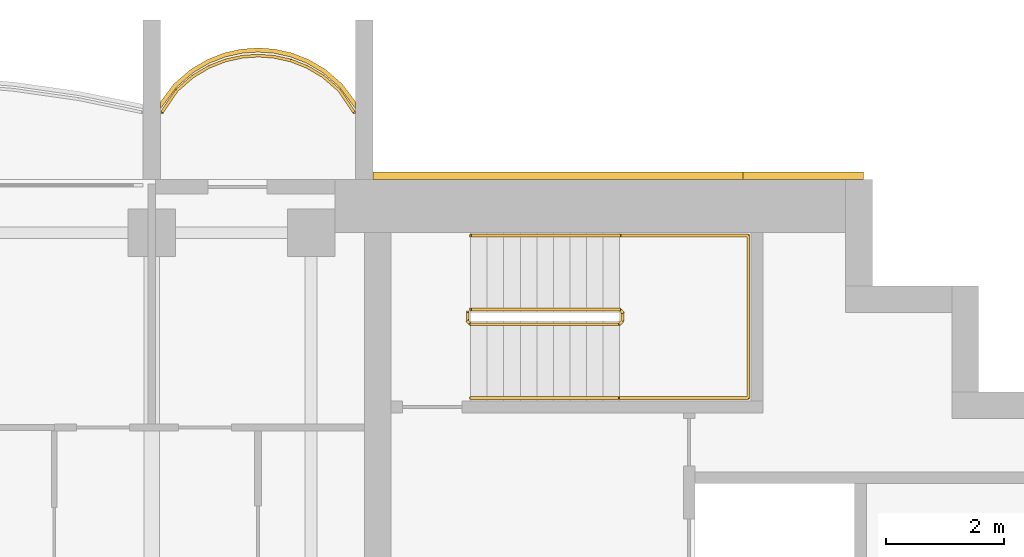
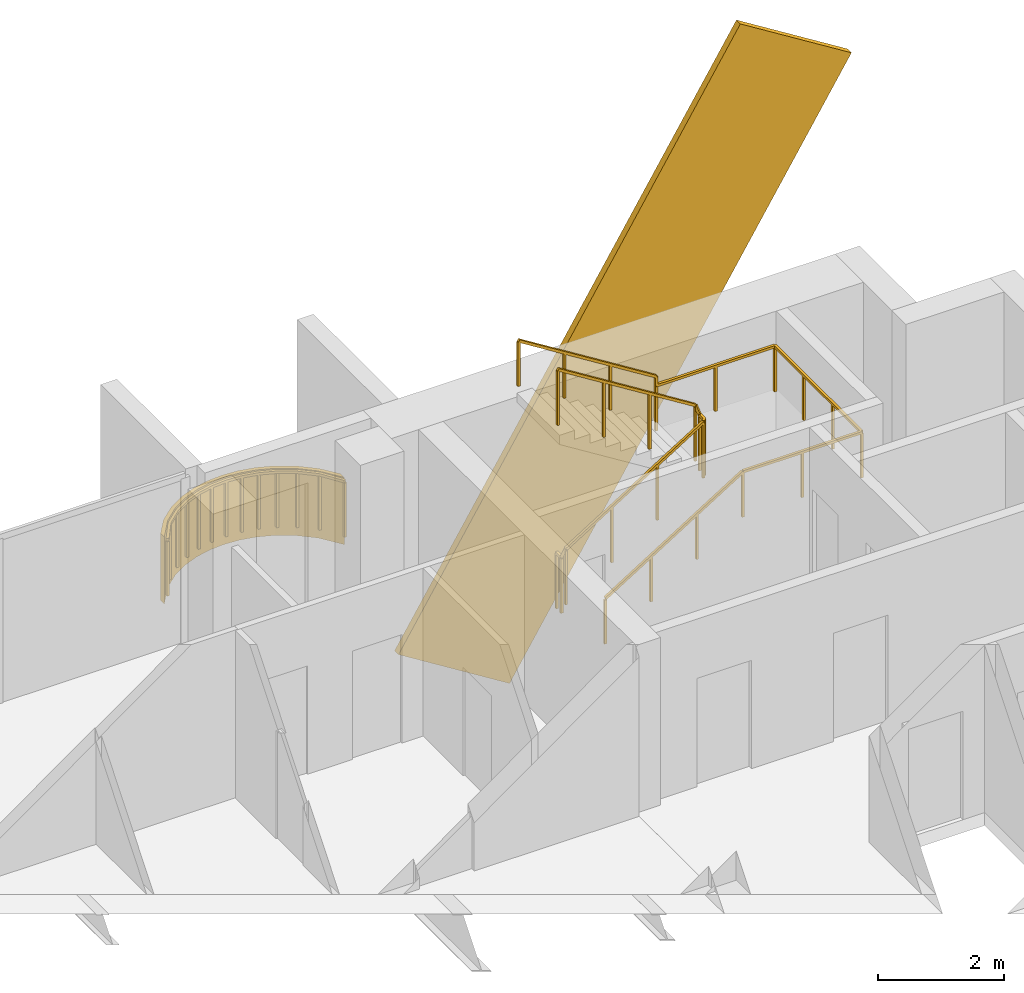
# One storey, part 16 of 16: 3 railings, 2 coverings.
"""IFC4 building model written with IfcOpenShell, lengths in metres."""

import ifcopenshell
import ifcopenshell.guid

model = None  # the IFC model being written
_history = None  # IfcOwnerHistory: only IFC2X3 demands one
_inside = {}  # id of a spatial element -> (the spatial element, [elements in it])
_under = {}  # id of a project, library or spatial element -> (it, [spatial elements below it])
_declared = {}  # id of a project -> (the project, [libraries it declares])
_typed = {}  # id of a type object -> (the type object, [elements of that type])
_made_of = {}  # id of a material, layer set ... -> (it, [elements and type objects made of it])


def new_model(schema):
    """Start an empty IFC model of exactly this schema.

    Asked for "IFC4X3", IfcOpenShell would pick the latest addendum, in which some entities
    have other attributes; the version numbers below select the first issue.
    IFC2X3 requires an IfcOwnerHistory on every rooted entity: one is made here for all.
    """
    global model, _history
    if schema == "IFC4X3":
        model = ifcopenshell.file(schema_version=(4, 3, 0, 0))
    else:
        model = ifcopenshell.file(schema=schema)
    _inside.clear()
    _under.clear()
    _declared.clear()
    _typed.clear()
    _made_of.clear()
    _history = None
    if model.schema == "IFC2X3":
        org = make("IfcOrganization", Name="unknown")
        user = make(
            "IfcPersonAndOrganization",
            ThePerson=make("IfcPerson", FamilyName="unknown"),
            TheOrganization=org,
        )
        app = make(
            "IfcApplication",
            ApplicationDeveloper=org,
            Version="unknown",
            ApplicationFullName="unknown",
            ApplicationIdentifier="unknown",
        )
        _history = make(
            "IfcOwnerHistory",
            OwningUser=user,
            OwningApplication=app,
            ChangeAction="ADDED",
            CreationDate=0,
        )
    return model


def make(cls, **values):
    """One entity of the class cls with the attributes given. An attribute that is None is left unset."""
    return model.create_entity(
        cls, **{name: value for name, value in values.items() if value is not None}
    )


def rooted(cls, **values):
    """An entity with a GlobalId (a new one), such as an element, a storey or a relation."""
    return make(cls, GlobalId=ifcopenshell.guid.new(), OwnerHistory=_history, **values)


def si_unit(unit_type, name, prefix=None):
    """IfcSIUnit, for example si_unit("LENGTHUNIT", "METRE", prefix="MILLI")."""
    return make("IfcSIUnit", UnitType=unit_type, Prefix=prefix, Name=name)


def assignment(units):
    """IfcUnitAssignment: the units of a project."""
    return None if units is None else make("IfcUnitAssignment", Units=units)


def point(xyz):
    """IfcCartesianPoint."""
    return None if xyz is None else make("IfcCartesianPoint", Coordinates=xyz)


def direction(xyz):
    """IfcDirection."""
    return None if xyz is None else make("IfcDirection", DirectionRatios=xyz)


def frame(location, z_axis=None, x_axis=None):
    """IfcAxis2Placement3D, a coordinate frame: its origin and axes. An axis left out is left unset."""
    return make(
        "IfcAxis2Placement3D",
        Location=point(location),
        Axis=direction(z_axis),
        RefDirection=direction(x_axis),
    )


def frame_2d(location, x_axis=None):
    """IfcAxis2Placement2D, a coordinate frame in the plane: its origin and x axis."""
    return make(
        "IfcAxis2Placement2D", Location=point(location), RefDirection=direction(x_axis)
    )


def origin():
    """The frame at (0, 0, 0) with its axes left unset."""
    return frame((0.0, 0.0, 0.0))


def origin_2d():
    """The frame at (0, 0) in the plane with its x axis left unset."""
    return frame_2d((0.0, 0.0))


def place(relative_to, where):
    """IfcLocalPlacement: puts the frame where relative to a parent placement (None: the world)."""
    return make(
        "IfcLocalPlacement", PlacementRelTo=relative_to, RelativePlacement=where
    )


def context(
    kind, dimensions, precision=None, world=None, true_north=None, identifier=None
):
    """IfcGeometricRepresentationContext, for example the 3D "Model" context."""
    return make(
        "IfcGeometricRepresentationContext",
        ContextIdentifier=identifier,
        ContextType=kind,
        CoordinateSpaceDimension=dimensions,
        Precision=precision,
        WorldCoordinateSystem=world,
        TrueNorth=true_north,
    )


def subcontext(parent, identifier, kind, view, scale=None):
    """IfcGeometricRepresentationSubContext, for example "Body" below "Model"."""
    return make(
        "IfcGeometricRepresentationSubContext",
        ContextIdentifier=identifier,
        ContextType=kind,
        ParentContext=parent,
        TargetScale=scale,
        TargetView=view,
    )


def project(units=None, contexts=None):
    """IfcProject with its units and contexts."""
    return rooted(
        "IfcProject",
        Name="project",
        RepresentationContexts=contexts,
        UnitsInContext=assignment(units),
    )


def spatial(cls, under=None, at=None, **own):
    """A site, building, storey or space (cls), placed at a placement, below another one or the project."""
    s = rooted(cls, ObjectPlacement=at, **own)
    if under is not None:
        _under.setdefault(under.id(), (under, []))[1].append(s)
    return s


def polyline(points):
    """IfcPolyline through the points."""
    return make("IfcPolyline", Points=[point(p) for p in points])


def profile(cls, at=None, kind="AREA", **sizes):
    """A parametric profile (cls). Its sizes go by their IFC names, for example OverallWidth=200.0."""
    return make(cls, ProfileType=kind, Position=at, **sizes)


def rectangle(**sizes):
    """IfcRectangleProfileDef."""
    return profile("IfcRectangleProfileDef", **sizes)


def outline(outer, holes=None, kind="AREA"):
    """IfcArbitraryClosedProfileDef: a profile drawn as a closed curve; with holes, ...WithVoids."""
    if holes is None:
        return make("IfcArbitraryClosedProfileDef", ProfileType=kind, OuterCurve=outer)
    return make(
        "IfcArbitraryProfileDefWithVoids",
        ProfileType=kind,
        OuterCurve=outer,
        InnerCurves=holes,
    )


def extrude(swept, where, along, depth):
    """IfcExtrudedAreaSolid: the profile swept, set in the frame where, extruded along a direction by depth."""
    return make(
        "IfcExtrudedAreaSolid",
        SweptArea=swept,
        Position=where,
        ExtrudedDirection=direction(along),
        Depth=depth,
    )


def shape(context_of_items, identifier, shape_type, items):
    """IfcShapeRepresentation: the items that make up one representation, for example the "Body"."""
    return make(
        "IfcShapeRepresentation",
        ContextOfItems=context_of_items,
        RepresentationIdentifier=identifier,
        RepresentationType=shape_type,
        Items=items,
    )


def material(Name=None, Category=None):
    """IfcMaterial."""
    return make("IfcMaterial", Name=Name, Category=Category)


def layer(
    of_material, thickness, ventilated=None, Name=None, Category=None, Priority=None
):
    """IfcMaterialLayer: one layer of a wall or slab, of a material (None: an air gap)."""
    return make(
        "IfcMaterialLayer",
        Material=of_material,
        LayerThickness=thickness,
        IsVentilated=ventilated,
        Name=Name,
        Category=Category,
        Priority=Priority,
    )


def layer_set(layers, Name=None):
    """IfcMaterialLayerSet."""
    return make("IfcMaterialLayerSet", MaterialLayers=layers, LayerSetName=Name)


def material_profile(
    of_material, cross_section, Name=None, Category=None, Priority=None
):
    """IfcMaterialProfile: a cross section and its material."""
    return make(
        "IfcMaterialProfile",
        Name=Name,
        Material=of_material,
        Profile=cross_section,
        Priority=Priority,
        Category=Category,
    )


def profile_set(profiles, Name=None, composite=None):
    """IfcMaterialProfileSet."""
    return make(
        "IfcMaterialProfileSet",
        Name=Name,
        MaterialProfiles=profiles,
        CompositeProfile=composite,
    )


def made_of(thing, what):
    """Note that an element or type object is made of a material, layer set ...; save() writes the relation."""
    if what is not None:
        _made_of.setdefault(what.id(), (what, []))[1].append(thing)
    return thing


def type_object(cls, material=None, **own):
    """A type object (cls), such as IfcWallType, which elements share."""
    return made_of(rooted(cls, **own), material)


def element(
    cls,
    number,
    at=None,
    inside=None,
    cuts=None,
    type_object=None,
    material=None,
    context=None,
    identifier="Body",
    shape_type=None,
    held_by="IfcProductDefinitionShape",
    body=None,
    shapes=None,
    **own,
):
    """One element of the class cls, such as IfcWall. Its Tag is "e" and its number.

    at: its placement. inside: the storey or other place that contains it. cuts: it is an
    opening in that element (IfcRelVoidsElement). A single representation is given by context,
    identifier, shape_type and body (its items); several are given by shapes. held_by: the class
    of the entity that holds the representations. save() writes the other relations.
    """
    e = rooted(cls, Tag="e%d" % number, ObjectPlacement=at, **own)
    if body is not None:
        shapes = [shape(context, identifier, shape_type, body)]
    if shapes is not None:
        e.Representation = make(held_by, Representations=shapes)
    if inside is not None:
        _inside.setdefault(inside.id(), (inside, []))[1].append(e)
    if cuts is not None:
        rooted(
            "IfcRelVoidsElement", RelatingBuildingElement=cuts, RelatedOpeningElement=e
        )
    if type_object is not None:
        _typed.setdefault(type_object.id(), (type_object, []))[1].append(e)
    return made_of(e, material)


def aggregate(whole, parts):
    """IfcRelAggregates: a whole, such as a stair, and the parts it consists of."""
    return rooted("IfcRelAggregates", RelatingObject=whole, RelatedObjects=parts)


def save(model, path):
    """Write the relations noted so far, then the file.

    IfcRelAggregates (storeys below a building ...), IfcRelContainedInSpatialStructure (elements
    in a storey), IfcRelDefinesByType, IfcRelAssociatesMaterial and IfcRelDeclares: one each for
    every whole, place, type object, material and project.
    """
    for whole, parts in _under.values():
        aggregate(whole, parts)
    for where, things in _inside.values():
        rooted(
            "IfcRelContainedInSpatialStructure",
            RelatedElements=things,
            RelatingStructure=where,
        )
    for kind, things in _typed.values():
        rooted("IfcRelDefinesByType", RelatedObjects=things, RelatingType=kind)
    for what, things in _made_of.values():
        rooted("IfcRelAssociatesMaterial", RelatedObjects=things, RelatingMaterial=what)
    for by, libraries in _declared.values():
        rooted("IfcRelDeclares", RelatingContext=by, RelatedDefinitions=libraries)
    model.write(path)


model = new_model("IFC4")

# Units and contexts
model_context = context("Model", 3, precision=1e-05, world=origin(), true_north=direction((0.0, 1.0)))
body_context = subcontext(model_context, "Body", "Model", "MODEL_VIEW")
ifc_project = project(units=[si_unit("LENGTHUNIT", "METRE"), si_unit("AREAUNIT", "SQUARE_METRE"), si_unit("VOLUMEUNIT", "CUBIC_METRE"), si_unit("PLANEANGLEUNIT", "RADIAN"), si_unit("MASSUNIT", "GRAM", prefix="KILO")], contexts=[model_context])

# Site, building, storey
site_placement = place(None, origin())
site = spatial("IfcSite", under=ifc_project, at=site_placement, CompositionType="ELEMENT")
building_placement = place(site_placement, origin())
building = spatial("IfcBuilding", under=site, at=building_placement, Name="Perihelion Cross Residences", CompositionType="ELEMENT")
storey_placement = place(building_placement, frame((0.0, 0.0, 271.0)))
storey = spatial("IfcBuildingStorey", under=building, at=storey_placement, Name="L69", CompositionType="ELEMENT", Elevation=271.0)

# Covering
ifc_material_1 = material(Name="Bronze anodised aluminium", Category="aluminium")
ifc_layer = layer(ifc_material_1, 0.070068359375)
ifc_layer_set = layer_set([ifc_layer], Name="Balcony fascia 1300")
covering_type_1 = type_object("IfcCoveringType", Name="Balcony fascia 1300", PredefinedType="CLADDING", material=ifc_layer_set)
covering_1_placement = place(storey_placement, frame((0.0, 0.0, -0.199951171875)))
element("IfcCovering", 1, at=covering_1_placement, inside=storey, type_object=covering_type_1, Name="Fascia BF1 L69 east side north bay 1", PredefinedType="CLADDING", context=body_context, shape_type="SweptSolid", body=[
    extrude(outline(polyline([(21.226318359375, 10.616455078125), (20.94091796875, 10.86328125), (20.655517578125, 11.031494140625), (20.370361328125, 11.142578125), (20.085205078125, 11.206298828125), (19.800048828125, 11.22705078125), (19.514892578125, 11.206298828125), (19.229736328125, 11.142578125), (18.9443359375, 11.031494140625), (18.6591796875, 10.86328125), (18.373779296875, 10.616455078125), (18.14990234375, 10.31689453125), (18.14990234375, 10.199951171875), (18.425048828125, 10.568603515625), (18.699951171875, 10.806396484375), (18.97509765625, 10.96875), (19.25, 11.07568359375), (19.52490234375, 11.136962890625), (19.800048828125, 11.156982421875), (20.074951171875, 11.136962890625), (20.35009765625, 11.07568359375), (20.625, 10.96875), (20.89990234375, 10.806396484375), (21.175048828125, 10.568603515625), (21.449951171875, 10.199951171875), (21.449951171875, 10.31689453125), (21.226318359375, 10.616455078125)])), origin(), (0.0, 0.0, 1.0), 1.300048828125),
])

# Railing
ifc_material_2 = material(Name="Bronze anodised aluminium", Category="aluminium")
railing_type_1 = type_object("IfcRailingType", Name="Balcony guard 1100", PredefinedType="GUARDRAIL", material=ifc_material_2)
railing_1_placement = place(storey_placement, frame((21.425048828125, 10.139892578125, 0.0)))
element("IfcRailing", 2, at=railing_1_placement, inside=storey, type_object=railing_type_1, Name="Guard GU1 L69 east side north bay 1 balcony", PredefinedType="GUARDRAIL", context=body_context, shape_type="SweptSolid", body=[
    extrude(rectangle(XDim=0.048095703125, YDim=0.048095703125, at=origin_2d()), frame((0.0, 0.0, 1.076171875), z_axis=(-0.561260132269, 0.827639452857, 0.0), x_axis=(-0.827639452857, -0.561260132269, 0.0)), (0.0, 0.0, 1.0), 0.4453125),
    extrude(rectangle(XDim=0.048095703125, YDim=0.048095703125, at=origin_2d()), frame((-0.25, 0.36865234375, 1.076171875), z_axis=(-0.756596535164, 0.653882009982, 0.0), x_axis=(-0.653882009982, -0.756596535164, 0.0)), (0.0, 0.0, 1.0), 0.36376953125),
    extrude(rectangle(XDim=0.048095703125, YDim=0.048095703125, at=origin_2d()), frame((-0.525146484375, 0.6064453125, 1.076171875), z_axis=(-0.861048292884, 0.508523192511, 0.0), x_axis=(-0.508523192511, -0.861048292884, 0.0)), (0.0, 0.0, 1.0), 0.3193359375),
    extrude(rectangle(XDim=0.048095703125, YDim=0.048095703125, at=origin_2d()), frame((-0.800048828125, 0.768798828125, 1.076171875), z_axis=(-0.931973602183, 0.362526143656, 0.0), x_axis=(-0.362526143656, -0.931973602183, 0.0)), (0.0, 0.0, 1.0), 0.294921875),
    extrude(rectangle(XDim=0.048095703125, YDim=0.048095703125, at=origin_2d()), frame((-1.074951171875, 0.875732421875, 1.076171875), z_axis=(-0.976085059389, 0.21738895289, 0.0), x_axis=(-0.21738895289, -0.976085059389, 0.0)), (0.0, 0.0, 1.0), 0.281982421875),
    extrude(rectangle(XDim=0.048095703125, YDim=0.048095703125, at=origin_2d()), frame((-1.35009765625, 0.93701171875, 1.076171875), z_axis=(-0.997358821833, 0.072631814734, 0.0), x_axis=(-0.072631814734, -0.997358821833, 0.0)), (0.0, 0.0, 1.0), 0.275634765625),
    extrude(rectangle(XDim=0.048095703125, YDim=0.048095703125, at=origin_2d()), frame((-1.625, 0.95703125, 1.076171875), z_axis=(-0.997363488337, -0.072567707226, 0.0), x_axis=(0.072567707226, -0.997363488337, 0.0)), (0.0, 0.0, 1.0), 0.27587890625),
    extrude(rectangle(XDim=0.048095703125, YDim=0.048095703125, at=origin_2d()), frame((-1.900146484375, 0.93701171875, 1.076171875), z_axis=(-0.976044077717, -0.217572880557, 0.0), x_axis=(0.217572880557, -0.976044077717, 0.0)), (0.0, 0.0, 1.0), 0.28173828125),
    extrude(rectangle(XDim=0.048095703125, YDim=0.048095703125, at=origin_2d()), frame((-2.175048828125, 0.875732421875, 1.076171875), z_axis=(-0.931973602183, -0.362526143656, 0.0), x_axis=(0.362526143656, -0.931973602183, 0.0)), (0.0, 0.0, 1.0), 0.294921875),
    extrude(rectangle(XDim=0.048095703125, YDim=0.048095703125, at=origin_2d()), frame((-2.449951171875, 0.768798828125, 1.076171875), z_axis=(-0.861245845072, -0.508188542123, 0.0), x_axis=(0.508188542123, -0.861245845072, 0.0)), (0.0, 0.0, 1.0), 0.319580078125),
    extrude(rectangle(XDim=0.048095703125, YDim=0.048095703125, at=origin_2d()), frame((-2.72509765625, 0.6064453125, 1.076171875), z_axis=(-0.756309278473, -0.654214242658, 0.0), x_axis=(0.654214242658, -0.756309278473, 0.0)), (0.0, 0.0, 1.0), 0.363525390625),
    extrude(rectangle(XDim=0.048095703125, YDim=0.048095703125, at=origin_2d()), frame((-3.0, 0.36865234375, 1.076171875), z_axis=(-0.561260132269, -0.827639452857, 0.0), x_axis=(0.827639452857, -0.561260132269, 0.0)), (0.0, 0.0, 1.0), 0.4453125),
    extrude(rectangle(XDim=0.0419921875, YDim=0.0419921875, at=origin_2d()), origin(), (0.0, 0.0, 1.0), 1.052001953125),
    extrude(rectangle(XDim=0.0419921875, YDim=0.0419921875, at=origin_2d()), frame((-0.25, 0.36865234375, 0.0)), (0.0, 0.0, 1.0), 1.052001953125),
    extrude(rectangle(XDim=0.0419921875, YDim=0.0419921875, at=origin_2d()), frame((-0.525146484375, 0.6064453125, 0.0)), (0.0, 0.0, 1.0), 1.052001953125),
    extrude(rectangle(XDim=0.0419921875, YDim=0.0419921875, at=origin_2d()), frame((-0.800048828125, 0.768798828125, 0.0)), (0.0, 0.0, 1.0), 1.052001953125),
    extrude(rectangle(XDim=0.0419921875, YDim=0.0419921875, at=origin_2d()), frame((-1.074951171875, 0.875732421875, 0.0)), (0.0, 0.0, 1.0), 1.052001953125),
    extrude(rectangle(XDim=0.0419921875, YDim=0.0419921875, at=origin_2d()), frame((-1.35009765625, 0.93701171875, 0.0)), (0.0, 0.0, 1.0), 1.052001953125),
    extrude(rectangle(XDim=0.0419921875, YDim=0.0419921875, at=origin_2d()), frame((-1.625, 0.95703125, 0.0)), (0.0, 0.0, 1.0), 1.052001953125),
    extrude(rectangle(XDim=0.0419921875, YDim=0.0419921875, at=origin_2d()), frame((-1.900146484375, 0.93701171875, 0.0)), (0.0, 0.0, 1.0), 1.052001953125),
    extrude(rectangle(XDim=0.0419921875, YDim=0.0419921875, at=origin_2d()), frame((-2.175048828125, 0.875732421875, 0.0)), (0.0, 0.0, 1.0), 1.052001953125),
    extrude(rectangle(XDim=0.0419921875, YDim=0.0419921875, at=origin_2d()), frame((-2.449951171875, 0.768798828125, 0.0)), (0.0, 0.0, 1.0), 1.052001953125),
    extrude(rectangle(XDim=0.0419921875, YDim=0.0419921875, at=origin_2d()), frame((-2.72509765625, 0.6064453125, 0.0)), (0.0, 0.0, 1.0), 1.052001953125),
    extrude(rectangle(XDim=0.0419921875, YDim=0.0419921875, at=origin_2d()), frame((-3.0, 0.36865234375, 0.0)), (0.0, 0.0, 1.0), 1.052001953125),
    extrude(rectangle(XDim=0.0419921875, YDim=0.0419921875, at=origin_2d()), frame((-3.25, 0.0, 0.0)), (0.0, 0.0, 1.0), 1.052001953125),
])

# Covering
ifc_material_3 = material(Name="Bronze anodised aluminium", Category="aluminium")
ifc_material_profile = material_profile(ifc_material_3, rectangle(XDim=0.125, YDim=2.39990234375, at=origin_2d()), Name="Bronze cladding band 2400")
ifc_profile_set = profile_set([ifc_material_profile], Name="Bronze anodised aluminium")
covering_type_2 = type_object("IfcCoveringType", Name="Bronze cladding band 2400", PredefinedType="CLADDING", material=ifc_profile_set)
covering_2_placement = place(storey_placement, frame((22.767578125, 9.0625, -2.345458984375), z_axis=(0.529915403603, 0.0, 0.848050508534), x_axis=(0.0, 1.0, 0.0)))
element("IfcCovering", 3, at=covering_2_placement, inside=storey, type_object=covering_type_2, Name="Core cladding band, east core", PredefinedType="CLADDING", context=body_context, shape_type="SweptSolid", body=[
    extrude(rectangle(XDim=0.125, YDim=2.39990234375, at=origin_2d()), origin(), (0.0, 0.0, 1.0), 11.822021484375),
])

# Railings
ifc_material_4 = material(Name="Stainless steel", Category="steel")
railing_type_2 = type_object("IfcRailingType", Name="Stair guard 1100", PredefinedType="GUARDRAIL", material=ifc_material_4)
railing_2_placement = place(storey_placement, frame((23.35009765625, 6.75, 0.0)))
element("IfcRailing", 4, at=railing_2_placement, inside=storey, type_object=railing_type_2, Name="L69 ST-E1 stair guard 1", PredefinedType="GUARDRAIL", context=body_context, shape_type="SweptSolid", body=[
    extrude(rectangle(XDim=0.048095703125, YDim=0.048095703125, at=origin_2d()), frame((0.0, 0.0, 1.076171875), z_axis=(0.0, -1.0, 0.0), x_axis=(1.0, 0.0, 0.0)), (0.0, 0.0, 1.0), 0.14990234375),
    extrude(rectangle(XDim=0.048095703125, YDim=0.048095703125, at=origin_2d()), frame((0.0, -0.14990234375, 1.076171875), z_axis=(0.263862480399, -0.265155923931, 0.927399011991), x_axis=(0.708833529934, 0.705375805398, 0.0)), (0.0, 0.0, 1.0), 0.188720703125),
    extrude(rectangle(XDim=0.048095703125, YDim=0.048095703125, at=origin_2d()), frame((0.0498046875, -0.199951171875, 1.2509765625), z_axis=(0.848007534815, 0.0, 0.529984170421), x_axis=(0.0, 1.0, 0.0)), (0.0, 0.0, 1.0), 2.9716796875),
    extrude(rectangle(XDim=0.048095703125, YDim=0.048095703125, at=origin_2d()), frame((2.56982421875, -0.199951171875, 2.826171875), z_axis=(0.707106781187, 0.707106781187, 0.0), x_axis=(-0.707106781187, 0.707106781187, 0.0)), (0.0, 0.0, 1.0), 0.07080078125),
    extrude(rectangle(XDim=0.048095703125, YDim=0.048095703125, at=origin_2d()), frame((2.619873046875, -0.14990234375, 2.826171875), z_axis=(0.0, 1.0, 0.0), x_axis=(-1.0, 0.0, 0.0)), (0.0, 0.0, 1.0), 0.14990234375),
    extrude(rectangle(XDim=0.048095703125, YDim=0.048095703125, at=origin_2d()), frame((2.619873046875, 0.0, 2.826171875), z_axis=(-0.265065253269, 0.265065253269, 0.927081885822), x_axis=(-0.707106781187, -0.707106781187, 0.0)), (0.0, 0.0, 1.0), 0.188720703125),
    extrude(rectangle(XDim=0.048095703125, YDim=0.048095703125, at=origin_2d()), frame((2.56982421875, 0.050048828125, 3.0009765625), z_axis=(-0.848007534815, 0.0, 0.529984170421), x_axis=(0.0, -1.0, 0.0)), (0.0, 0.0, 1.0), 2.9716796875),
    extrude(rectangle(XDim=0.0419921875, YDim=0.0419921875, at=origin_2d()), origin(), (0.0, 0.0, 1.0), 1.052001953125),
    extrude(rectangle(XDim=0.0419921875, YDim=0.0419921875, at=origin_2d()), frame((0.0, -0.14990234375, 0.0)), (0.0, 0.0, 1.0), 1.052001953125),
    extrude(rectangle(XDim=0.0419921875, YDim=0.0419921875, at=origin_2d()), frame((0.0498046875, -0.199951171875, 0.175048828125)), (0.0, 0.0, 1.0), 1.052001953125),
    extrude(rectangle(XDim=0.0419921875, YDim=0.0419921875, at=origin_2d()), frame((0.889892578125, -0.199951171875, 0.699951171875)), (0.0, 0.0, 1.0), 1.052001953125),
    extrude(rectangle(XDim=0.0419921875, YDim=0.0419921875, at=origin_2d()), frame((1.729736328125, -0.199951171875, 1.22509765625)), (0.0, 0.0, 1.0), 1.052001953125),
    extrude(rectangle(XDim=0.0419921875, YDim=0.0419921875, at=origin_2d()), frame((2.56982421875, -0.199951171875, 1.75)), (0.0, 0.0, 1.0), 1.052001953125),
    extrude(rectangle(XDim=0.0419921875, YDim=0.0419921875, at=origin_2d()), frame((2.619873046875, -0.14990234375, 1.75)), (0.0, 0.0, 1.0), 1.052001953125),
    extrude(rectangle(XDim=0.0419921875, YDim=0.0419921875, at=origin_2d()), frame((2.619873046875, 0.0, 1.75)), (0.0, 0.0, 1.0), 1.052001953125),
    extrude(rectangle(XDim=0.0419921875, YDim=0.0419921875, at=origin_2d()), frame((2.56982421875, 0.050048828125, 1.925048828125)), (0.0, 0.0, 1.0), 1.052001953125),
    extrude(rectangle(XDim=0.0419921875, YDim=0.0419921875, at=origin_2d()), frame((1.729736328125, 0.050048828125, 2.449951171875)), (0.0, 0.0, 1.0), 1.052001953125),
    extrude(rectangle(XDim=0.0419921875, YDim=0.0419921875, at=origin_2d()), frame((0.889892578125, 0.050048828125, 2.97509765625)), (0.0, 0.0, 1.0), 1.052001953125),
    extrude(rectangle(XDim=0.0419921875, YDim=0.0419921875, at=origin_2d()), frame((0.0498046875, 0.050048828125, 3.5)), (0.0, 0.0, 1.0), 1.052001953125),
])
ifc_material_5 = material(Name="Stainless steel", Category="steel")
railing_type_3 = type_object("IfcRailingType", Name="Stair handrail 900", PredefinedType="HANDRAIL", material=ifc_material_5)
railing_3_placement = place(storey_placement, frame((23.39990234375, 5.300048828125, 0.175048828125)))
element("IfcRailing", 5, at=railing_3_placement, inside=storey, type_object=railing_type_3, Name="L69 ST-E1 stair handrail 1", PredefinedType="HANDRAIL", context=body_context, shape_type="SweptSolid", body=[
    extrude(rectangle(XDim=0.048095703125, YDim=0.048095703125, at=origin_2d()), frame((0.0, 0.0, 0.8759765625), z_axis=(0.848007534815, 0.0, 0.529984170421), x_axis=(0.0, 1.0, 0.0)), (0.0, 0.0, 1.0), 2.9716796875),
    extrude(rectangle(XDim=0.048095703125, YDim=0.048095703125, at=origin_2d()), frame((2.52001953125, 0.0, 2.45068359375), z_axis=(1.0, 0.0, 0.0), x_axis=(0.0, 1.0, 0.0)), (0.0, 0.0, 1.0), 2.18017578125),
    extrude(rectangle(XDim=0.048095703125, YDim=0.048095703125, at=origin_2d()), frame((4.7001953125, 0.0, 2.45068359375), z_axis=(0.0, 1.0, 0.0), x_axis=(-1.0, 0.0, 0.0)), (0.0, 0.0, 1.0), 2.75),
    extrude(rectangle(XDim=0.048095703125, YDim=0.048095703125, at=origin_2d()), frame((4.7001953125, 2.75, 2.45068359375), z_axis=(-1.0, 0.0, 0.0), x_axis=(0.0, -1.0, 0.0)), (0.0, 0.0, 1.0), 2.18017578125),
    extrude(rectangle(XDim=0.048095703125, YDim=0.048095703125, at=origin_2d()), frame((2.52001953125, 2.75, 2.45068359375), z_axis=(0.0, 0.0, 1.0), x_axis=(1.0, 0.0, 0.0)), (0.0, 0.0, 1.0), 0.175048828125),
    extrude(rectangle(XDim=0.048095703125, YDim=0.048095703125, at=origin_2d()), frame((2.52001953125, 2.75, 2.6259765625), z_axis=(-0.848007534815, 0.0, 0.529984170421), x_axis=(0.0, -1.0, 0.0)), (0.0, 0.0, 1.0), 2.9716796875),
    extrude(rectangle(XDim=0.0419921875, YDim=0.0419921875, at=origin_2d()), origin(), (0.0, 0.0, 1.0), 0.851806640625),
    extrude(rectangle(XDim=0.0419921875, YDim=0.0419921875, at=origin_2d()), frame((0.840087890625, 0.0, 0.52490234375)), (0.0, 0.0, 1.0), 0.851806640625),
    extrude(rectangle(XDim=0.0419921875, YDim=0.0419921875, at=origin_2d()), frame((1.679931640625, 0.0, 1.050048828125)), (0.0, 0.0, 1.0), 0.851806640625),
    extrude(rectangle(XDim=0.0419921875, YDim=0.0419921875, at=origin_2d()), frame((2.52001953125, 0.0, 1.574951171875)), (0.0, 0.0, 1.0), 0.851806640625),
    extrude(rectangle(XDim=0.0419921875, YDim=0.0419921875, at=origin_2d()), frame((3.610107421875, 0.0, 1.574951171875)), (0.0, 0.0, 1.0), 0.851806640625),
    extrude(rectangle(XDim=0.0419921875, YDim=0.0419921875, at=origin_2d()), frame((4.7001953125, 0.0, 1.574951171875)), (0.0, 0.0, 1.0), 0.851806640625),
    extrude(rectangle(XDim=0.0419921875, YDim=0.0419921875, at=origin_2d()), frame((4.7001953125, 0.916748046875, 1.574951171875)), (0.0, 0.0, 1.0), 0.851806640625),
    extrude(rectangle(XDim=0.0419921875, YDim=0.0419921875, at=origin_2d()), frame((4.7001953125, 1.833251953125, 1.574951171875)), (0.0, 0.0, 1.0), 0.851806640625),
    extrude(rectangle(XDim=0.0419921875, YDim=0.0419921875, at=origin_2d()), frame((4.7001953125, 2.75, 1.574951171875)), (0.0, 0.0, 1.0), 0.851806640625),
    extrude(rectangle(XDim=0.0419921875, YDim=0.0419921875, at=origin_2d()), frame((3.610107421875, 2.75, 1.574951171875)), (0.0, 0.0, 1.0), 0.851806640625),
    extrude(rectangle(XDim=0.0419921875, YDim=0.0419921875, at=origin_2d()), frame((2.52001953125, 2.75, 1.574951171875)), (0.0, 0.0, 1.0), 0.851806640625),
    extrude(rectangle(XDim=0.0419921875, YDim=0.0419921875, at=origin_2d()), frame((2.52001953125, 2.75, 1.75)), (0.0, 0.0, 1.0), 0.851806640625),
    extrude(rectangle(XDim=0.0419921875, YDim=0.0419921875, at=origin_2d()), frame((1.679931640625, 2.75, 2.27490234375)), (0.0, 0.0, 1.0), 0.851806640625),
    extrude(rectangle(XDim=0.0419921875, YDim=0.0419921875, at=origin_2d()), frame((0.840087890625, 2.75, 2.800048828125)), (0.0, 0.0, 1.0), 0.851806640625),
    extrude(rectangle(XDim=0.0419921875, YDim=0.0419921875, at=origin_2d()), frame((0.0, 2.75, 3.324951171875)), (0.0, 0.0, 1.0), 0.851806640625),
])

save(model, "model.ifc")
